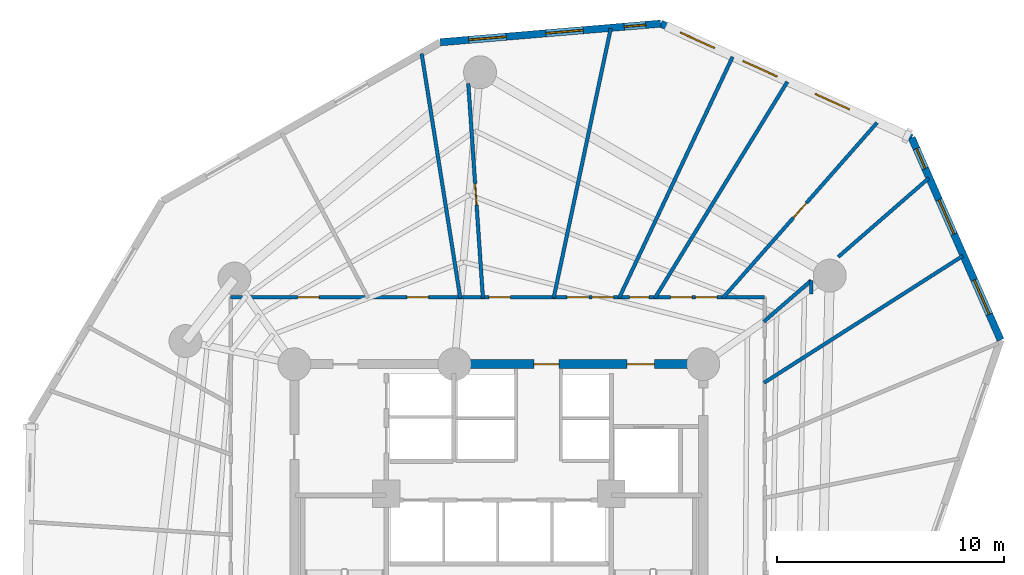
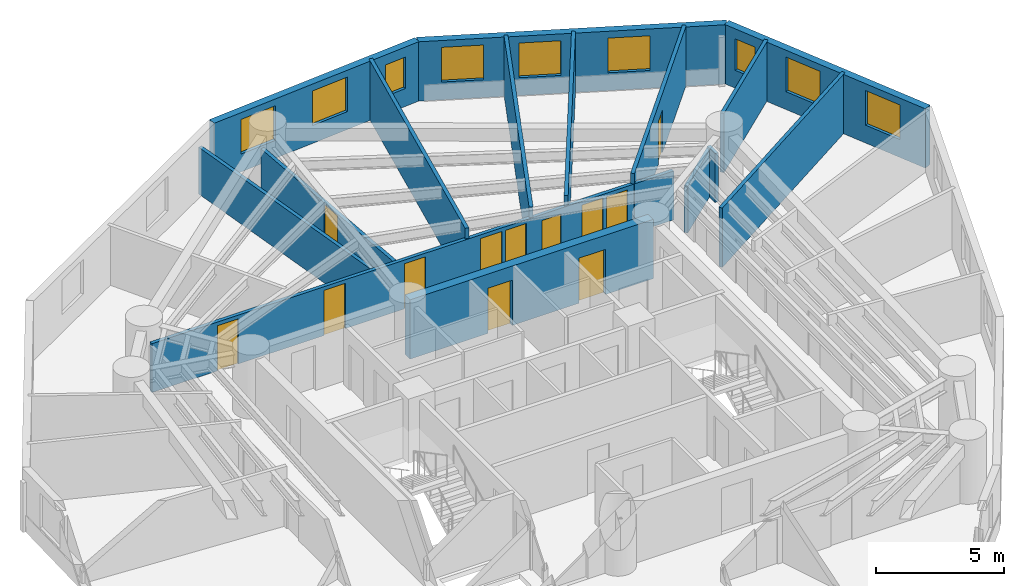
# One storey, part 6 of 10: 15 walls, 12 doors, 9 windows, 21 openings.
"""IFC4 building model written with IfcOpenShell, lengths in metres."""

from ifc_helpers import new_model, si_unit, direction, frame, frame_2d, origin, origin_with_axes, place, context, subcontext, project, spatial, rectangle, extrude, source, transform, mapped, material, layer, layer_set, type_object, element, fill, save


model = new_model("IFC4")

# Units and contexts
model_context = context("Model", 3, precision=1e-05, world=origin(), true_north=direction((0.0, 1.0)))
body_context = subcontext(model_context, "Body", "Model", "MODEL_VIEW")
ifc_project = project(units=[si_unit("LENGTHUNIT", "METRE"), si_unit("AREAUNIT", "SQUARE_METRE"), si_unit("VOLUMEUNIT", "CUBIC_METRE"), si_unit("PLANEANGLEUNIT", "RADIAN"), si_unit("MASSUNIT", "GRAM", prefix="KILO")], contexts=[model_context])

# Site, building, storey
site_placement = place(None, origin())
site = spatial("IfcSite", under=ifc_project, at=site_placement, CompositionType="ELEMENT")
building_placement = place(site_placement, origin())
building = spatial("IfcBuilding", under=site, at=building_placement, Name="Karkom Vertical University and Central Library", CompositionType="ELEMENT")
storey_placement = place(building_placement, frame((0.0, 0.0, 111.449951171875)))
storey = spatial("IfcBuildingStorey", under=building, at=storey_placement, Name="L30", CompositionType="ELEMENT", Elevation=111.449951171875)

# Wall, openings, windows
ifc_material_1 = material(Name="Brick-faced precast concrete C45/55", Category="masonry")
ifc_layer_1 = layer(ifc_material_1, 0.320068359375)
ifc_layer_set_1 = layer_set([ifc_layer_1], Name="Brick-faced precast concrete C45/55")
wall_type_1 = type_object("IfcWallType", Name="ENV-WL-BRK-320", PredefinedType="SOLIDWALL", material=ifc_layer_set_1)
wall_1_placement = place(storey_placement, frame((50.588134765625, 35.76904296875, 0.0), z_axis=(0.0, 0.0, 1.0), x_axis=(-0.402455807278, 0.915439415357, 0.0)))
wall_1 = element("IfcWall", 1, at=wall_1_placement, inside=storey, type_object=wall_type_1, Name="Level 30 Brick-Faced Precast Facade Wall 08", PredefinedType="SOLIDWALL", context=body_context, shape_type="SweptSolid", body=[
    extrude(rectangle(XDim=9.72119140625, YDim=0.320068359375, at=frame_2d((4.860595703125, 0.0))), origin(), (0.0, 0.0, 1.0), 2.824951171875),
])
opening_1_placement = place(wall_1_placement, frame((1.230224609375, 0.0, 0.85009765625)))
opening_1 = element("IfcOpeningElement", 2, at=opening_1_placement, cuts=wall_1, Name="Opening WN-06", PredefinedType="OPENING", context=body_context, shape_type="SweptSolid", body=[
    extrude(rectangle(XDim=1.64990234375, YDim=1.64990234375, at=frame_2d((0.824951171875, 0.824951171875))), frame((0.0, 0.169921875, 0.0), z_axis=(0.0, -1.0, 0.0), x_axis=(1.0, 0.0, 0.0)), (0.0, 0.0, 1.0), 0.340087890625),
])
opening_2_placement = place(wall_1_placement, frame((5.090087890625, 0.0, 0.85009765625)))
opening_2 = element("IfcOpeningElement", 3, at=opening_2_placement, cuts=wall_1, Name="Opening WN-06", PredefinedType="OPENING", context=body_context, shape_type="SweptSolid", body=[
    extrude(rectangle(XDim=1.64990234375, YDim=1.64990234375, at=frame_2d((0.824951171875, 0.824951171875))), frame((0.0, 0.169921875, 0.0), z_axis=(0.0, -1.0, 0.0), x_axis=(1.0, 0.0, 0.0)), (0.0, 0.0, 1.0), 0.340087890625),
])
opening_3_placement = place(wall_1_placement, frame((8.24560546875, 0.0, 0.85009765625)))
opening_3 = element("IfcOpeningElement", 4, at=opening_3_placement, cuts=wall_1, Name="Opening WN-12", PredefinedType="OPENING", context=body_context, shape_type="SweptSolid", body=[
    extrude(rectangle(XDim=0.949951171875, YDim=1.5, at=frame_2d((0.47509765625, 0.75))), frame((0.0, 0.169921875, 0.0), z_axis=(0.0, -1.0, 0.0), x_axis=(1.0, 0.0, 0.0)), (0.0, 0.0, 1.0), 0.340087890625),
])
ifc_material_2 = material(Name="Aluminium thermal-break frame with solar-control IGU", Category="aluminium")
window_type_1 = type_object("IfcWindowType", Name="ENV-WIN-WN-06", PartitioningType="SINGLE_PANEL", PredefinedType="WINDOW", material=ifc_material_2)
shared_shape_1 = source(origin_with_axes(), body_context, "Body", "SweptSolid", [
    extrude(rectangle(XDim=1.64990234375, YDim=1.64990234375, at=frame_2d((0.824951171875, 0.824951171875))), frame((0.0, 0.030029296875, 0.0), z_axis=(0.0, -1.0, 0.0), x_axis=(1.0, 0.0, 0.0)), (0.0, 0.0, 1.0), 0.06005859375),
])
window_1_placement = place(opening_1_placement, origin())
window_1 = element("IfcWindow", 5, at=window_1_placement, inside=storey, type_object=window_type_1, Name="Level 30 Punched Window 8.1", OverallHeight=1.64990234375, OverallWidth=1.64990234375, PartitioningType="SINGLE_PANEL", PredefinedType="WINDOW", context=body_context, shape_type="MappedRepresentation", body=[
    mapped(shared_shape_1, transform((0.0, 0.0, 0.0), scale=1.0)),
])
fill(opening_1, window_1)
window_2_placement = place(opening_2_placement, origin())
window_2 = element("IfcWindow", 6, at=window_2_placement, inside=storey, type_object=window_type_1, Name="Level 30 Punched Window 8.2", OverallHeight=1.64990234375, OverallWidth=1.64990234375, PartitioningType="SINGLE_PANEL", PredefinedType="WINDOW", context=body_context, shape_type="MappedRepresentation", body=[
    mapped(shared_shape_1, transform((0.0, 0.0, 0.0), scale=1.0)),
])
fill(opening_2, window_2)
window_type_2 = type_object("IfcWindowType", Name="ENV-WIN-WN-12", PartitioningType="SINGLE_PANEL", PredefinedType="WINDOW", material=ifc_material_2)
shared_shape_2 = source(origin_with_axes(), body_context, "Body", "SweptSolid", [
    extrude(rectangle(XDim=0.949951171875, YDim=1.5, at=frame_2d((0.47509765625, 0.75))), frame((0.0, 0.030029296875, 0.0), z_axis=(0.0, -1.0, 0.0), x_axis=(1.0, 0.0, 0.0)), (0.0, 0.0, 1.0), 0.06005859375),
])
window_3_placement = place(opening_3_placement, origin())
window_3 = element("IfcWindow", 7, at=window_3_placement, inside=storey, type_object=window_type_2, Name="Level 30 Punched Window 8.3", OverallHeight=1.5, OverallWidth=0.949951171875, PartitioningType="SINGLE_PANEL", PredefinedType="WINDOW", context=body_context, shape_type="MappedRepresentation", body=[
    mapped(shared_shape_2, transform((0.0, 0.0, 0.0), scale=1.0)),
])
fill(opening_3, window_3)

wall_2_placement = place(storey_placement, frame((46.67578125, 44.668212890625, 0.0), z_axis=(0.0, 0.0, 1.0), x_axis=(-0.910221705095, 0.414121295726, 0.0)))
wall_2 = element("IfcWall", 8, at=wall_2_placement, inside=storey, type_object=wall_type_1, Name="Level 30 Brick-Faced Precast Facade Wall 09", PredefinedType="SOLIDWALL", context=body_context, shape_type="SweptSolid", body=[
    extrude(rectangle(XDim=12.1328125, YDim=0.320068359375, at=frame_2d((6.06640625, 0.0))), origin(), (0.0, 0.0, 1.0), 2.824951171875),
])
opening_4_placement = place(wall_2_placement, frame((3.014892578125, 0.0, 0.85009765625)))
opening_4 = element("IfcOpeningElement", 9, at=opening_4_placement, cuts=wall_2, Name="Opening WN-06", PredefinedType="OPENING", context=body_context, shape_type="SweptSolid", body=[
    extrude(rectangle(XDim=1.64990234375, YDim=1.64990234375, at=frame_2d((0.824951171875, 0.824951171875))), frame((0.0, 0.169921875, 0.0), z_axis=(0.0, -1.0, 0.0), x_axis=(1.0, 0.0, 0.0)), (0.0, 0.0, 1.0), 0.340087890625),
])
opening_5_placement = place(wall_2_placement, frame((6.504638671875, 0.0, 0.85009765625)))
opening_5 = element("IfcOpeningElement", 10, at=opening_5_placement, cuts=wall_2, Name="Opening WN-06", PredefinedType="OPENING", context=body_context, shape_type="SweptSolid", body=[
    extrude(rectangle(XDim=1.64990234375, YDim=1.64990234375, at=frame_2d((0.824951171875, 0.824951171875))), frame((0.0, 0.169921875, 0.0), z_axis=(0.0, -1.0, 0.0), x_axis=(1.0, 0.0, 0.0)), (0.0, 0.0, 1.0), 0.340087890625),
])
opening_6_placement = place(wall_2_placement, frame((9.537353515625, 0.0, 0.85009765625)))
opening_6 = element("IfcOpeningElement", 11, at=opening_6_placement, cuts=wall_2, Name="Opening WN-06", PredefinedType="OPENING", context=body_context, shape_type="SweptSolid", body=[
    extrude(rectangle(XDim=1.64990234375, YDim=1.64990234375, at=frame_2d((0.824951171875, 0.824951171875))), frame((0.0, 0.169921875, 0.0), z_axis=(0.0, -1.0, 0.0), x_axis=(1.0, 0.0, 0.0)), (0.0, 0.0, 1.0), 0.340087890625),
])
window_4_placement = place(opening_4_placement, origin())
window_4 = element("IfcWindow", 12, at=window_4_placement, inside=storey, type_object=window_type_1, Name="Level 30 Punched Window 9.1", OverallHeight=1.64990234375, OverallWidth=1.64990234375, PartitioningType="SINGLE_PANEL", PredefinedType="WINDOW", context=body_context, shape_type="MappedRepresentation", body=[
    mapped(shared_shape_1, transform((0.0, 0.0, 0.0), scale=1.0)),
])
fill(opening_4, window_4)
window_5_placement = place(opening_5_placement, origin())
window_5 = element("IfcWindow", 13, at=window_5_placement, inside=storey, type_object=window_type_1, Name="Level 30 Punched Window 9.2", OverallHeight=1.64990234375, OverallWidth=1.64990234375, PartitioningType="SINGLE_PANEL", PredefinedType="WINDOW", context=body_context, shape_type="MappedRepresentation", body=[
    mapped(shared_shape_1, transform((0.0, 0.0, 0.0), scale=1.0)),
])
fill(opening_5, window_5)
window_6_placement = place(opening_6_placement, origin())
window_6 = element("IfcWindow", 14, at=window_6_placement, inside=storey, type_object=window_type_1, Name="Level 30 Punched Window 9.3", OverallHeight=1.64990234375, OverallWidth=1.64990234375, PartitioningType="SINGLE_PANEL", PredefinedType="WINDOW", context=body_context, shape_type="MappedRepresentation", body=[
    mapped(shared_shape_1, transform((0.0, 0.0, 0.0), scale=1.0)),
])
fill(opening_6, window_6)

wall_3_placement = place(storey_placement, frame((35.63232421875, 49.692626953125, 0.0), z_axis=(0.0, 0.0, 1.0), x_axis=(-0.996452673848, -0.084155028263, 0.0)))
wall_3 = element("IfcWall", 15, at=wall_3_placement, inside=storey, type_object=wall_type_1, Name="Level 30 Brick-Faced Precast Facade Wall 10", PredefinedType="SOLIDWALL", context=body_context, shape_type="SweptSolid", body=[
    extrude(rectangle(XDim=9.741943359375, YDim=0.320068359375, at=frame_2d((4.87109375, 0.0))), origin(), (0.0, 0.0, 1.0), 2.824951171875),
])
opening_7_placement = place(wall_3_placement, frame((0.6669921875, 0.0, 0.85009765625)))
opening_7 = element("IfcOpeningElement", 16, at=opening_7_placement, cuts=wall_3, Name="Opening WN-12", PredefinedType="OPENING", context=body_context, shape_type="SweptSolid", body=[
    extrude(rectangle(XDim=0.949951171875, YDim=1.5, at=frame_2d((0.47509765625, 0.75))), frame((0.0, 0.169921875, 0.0), z_axis=(0.0, -1.0, 0.0), x_axis=(1.0, 0.0, 0.0)), (0.0, 0.0, 1.0), 0.340087890625),
])
opening_8_placement = place(wall_3_placement, frame((3.42333984375, 0.0, 0.85009765625)))
opening_8 = element("IfcOpeningElement", 17, at=opening_8_placement, cuts=wall_3, Name="Opening WN-06", PredefinedType="OPENING", context=body_context, shape_type="SweptSolid", body=[
    extrude(rectangle(XDim=1.64990234375, YDim=1.64990234375, at=frame_2d((0.824951171875, 0.824951171875))), frame((0.0, 0.169921875, 0.0), z_axis=(0.0, -1.0, 0.0), x_axis=(1.0, 0.0, 0.0)), (0.0, 0.0, 1.0), 0.340087890625),
])
opening_9_placement = place(wall_3_placement, frame((6.83251953125, 0.0, 0.85009765625)))
opening_9 = element("IfcOpeningElement", 18, at=opening_9_placement, cuts=wall_3, Name="Opening WN-06", PredefinedType="OPENING", context=body_context, shape_type="SweptSolid", body=[
    extrude(rectangle(XDim=1.64990234375, YDim=1.64990234375, at=frame_2d((0.824951171875, 0.824951171875))), frame((0.0, 0.169921875, 0.0), z_axis=(0.0, -1.0, 0.0), x_axis=(1.0, 0.0, 0.0)), (0.0, 0.0, 1.0), 0.340087890625),
])
window_7_placement = place(opening_8_placement, origin())
window_7 = element("IfcWindow", 19, at=window_7_placement, inside=storey, type_object=window_type_1, Name="Level 30 Punched Window 10.2", OverallHeight=1.64990234375, OverallWidth=1.64990234375, PartitioningType="SINGLE_PANEL", PredefinedType="WINDOW", context=body_context, shape_type="MappedRepresentation", body=[
    mapped(shared_shape_1, transform((0.0, 0.0, 0.0), scale=1.0)),
])
fill(opening_8, window_7)
window_8_placement = place(opening_9_placement, origin())
window_8 = element("IfcWindow", 20, at=window_8_placement, inside=storey, type_object=window_type_1, Name="Level 30 Punched Window 10.3", OverallHeight=1.64990234375, OverallWidth=1.64990234375, PartitioningType="SINGLE_PANEL", PredefinedType="WINDOW", context=body_context, shape_type="MappedRepresentation", body=[
    mapped(shared_shape_1, transform((0.0, 0.0, 0.0), scale=1.0)),
])
fill(opening_9, window_8)
window_9_placement = place(opening_7_placement, origin())
window_9 = element("IfcWindow", 21, at=window_9_placement, inside=storey, type_object=window_type_2, Name="Level 30 Punched Window 10.1", OverallHeight=1.5, OverallWidth=0.949951171875, PartitioningType="SINGLE_PANEL", PredefinedType="WINDOW", context=body_context, shape_type="MappedRepresentation", body=[
    mapped(shared_shape_2, transform((0.0, 0.0, 0.0), scale=1.0)),
])
fill(opening_7, window_9)

# Wall, openings, doors
ifc_material_3 = material(Name="Insulated metal-stud drywall 160mm", Category="gypsum")
ifc_layer_2 = layer(ifc_material_3, 0.159912109375)
ifc_layer_set_2 = layer_set([ifc_layer_2], Name="Insulated metal-stud drywall 160mm")
wall_type_2 = type_object("IfcWallType", Name="INT-WL-COR-160", PredefinedType="PARTITIONING", material=ifc_layer_set_2)
wall_4_placement = place(storey_placement, frame((16.699951171875, 37.64990234375, 0.0), z_axis=(0.0, 0.0, 1.0), x_axis=(1.0, 0.0, 0.0)))
wall_4 = element("IfcWall", 22, at=wall_4_placement, inside=storey, type_object=wall_type_2, Name="Level 30 Interior Partition Wall L30-CORW-CW-003", PredefinedType="PARTITIONING", context=body_context, shape_type="SweptSolid", body=[
    extrude(rectangle(XDim=23.5, YDim=0.159912109375, at=frame_2d((11.75, 0.0))), origin(), (0.0, 0.0, 1.0), 2.324951171875),
])
opening_10_placement = place(wall_4_placement, frame((20.456298828125, 0.0, 0.0)))
opening_10 = element("IfcOpeningElement", 23, at=opening_10_placement, cuts=wall_4, Name="Opening FD-RM2", PredefinedType="OPENING", context=body_context, shape_type="SweptSolid", body=[
    extrude(rectangle(XDim=0.9599609375, YDim=2.14990234375, at=frame_2d((0.47998046875, 1.074951171875))), frame((0.0, 0.08984375, 0.0), z_axis=(0.0, -1.0, 0.0), x_axis=(1.0, 0.0, 0.0)), (0.0, 0.0, 1.0), 0.179931640625),
])
opening_11_placement = place(wall_4_placement, frame((19.359130859375, 0.0, 0.0)))
opening_11 = element("IfcOpeningElement", 24, at=opening_11_placement, cuts=wall_4, Name="Opening D-RM1", PredefinedType="OPENING", context=body_context, shape_type="SweptSolid", body=[
    extrude(rectangle(XDim=0.949951171875, YDim=2.14990234375, at=frame_2d((0.47509765625, 1.074951171875))), frame((0.0, 0.08984375, 0.0), z_axis=(0.0, -1.0, 0.0), x_axis=(1.0, 0.0, 0.0)), (0.0, 0.0, 1.0), 0.179931640625),
])
opening_12_placement = place(wall_4_placement, frame((15.909912109375, 0.0, 0.0)))
opening_12 = element("IfcOpeningElement", 25, at=opening_12_placement, cuts=wall_4, Name="Opening D-RM1", PredefinedType="OPENING", context=body_context, shape_type="SweptSolid", body=[
    extrude(rectangle(XDim=0.949951171875, YDim=2.14990234375, at=frame_2d((0.47509765625, 1.074951171875))), frame((0.0, 0.08984375, 0.0), z_axis=(0.0, -1.0, 0.0), x_axis=(1.0, 0.0, 0.0)), (0.0, 0.0, 1.0), 0.179931640625),
])
opening_13_placement = place(wall_4_placement, frame((14.800048828125, 0.0, 0.0)))
opening_13 = element("IfcOpeningElement", 26, at=opening_13_placement, cuts=wall_4, Name="Opening FD-RM2", PredefinedType="OPENING", context=body_context, shape_type="SweptSolid", body=[
    extrude(rectangle(XDim=0.9599609375, YDim=2.14990234375, at=frame_2d((0.47998046875, 1.074951171875))), frame((0.0, 0.08984375, 0.0), z_axis=(0.0, -1.0, 0.0), x_axis=(1.0, 0.0, 0.0)), (0.0, 0.0, 1.0), 0.179931640625),
])
opening_14_placement = place(wall_4_placement, frame((11.364990234375, 0.0, 0.0)))
opening_14 = element("IfcOpeningElement", 27, at=opening_14_placement, cuts=wall_4, Name="Opening D-RM1", PredefinedType="OPENING", context=body_context, shape_type="SweptSolid", body=[
    extrude(rectangle(XDim=0.949951171875, YDim=2.14990234375, at=frame_2d((0.47509765625, 1.074951171875))), frame((0.0, 0.08984375, 0.0), z_axis=(0.0, -1.0, 0.0), x_axis=(1.0, 0.0, 0.0)), (0.0, 0.0, 1.0), 0.179931640625),
])
opening_15_placement = place(wall_4_placement, frame((7.75, 0.0, 0.0)))
opening_15 = element("IfcOpeningElement", 28, at=opening_15_placement, cuts=wall_4, Name="Opening FD-RM2", PredefinedType="OPENING", context=body_context, shape_type="SweptSolid", body=[
    extrude(rectangle(XDim=0.9599609375, YDim=2.14990234375, at=frame_2d((0.47998046875, 1.074951171875))), frame((0.0, 0.08984375, 0.0), z_axis=(0.0, -1.0, 0.0), x_axis=(1.0, 0.0, 0.0)), (0.0, 0.0, 1.0), 0.179931640625),
])
opening_16_placement = place(wall_4_placement, frame((2.9404296875, 0.0, 0.0)))
opening_16 = element("IfcOpeningElement", 29, at=opening_16_placement, cuts=wall_4, Name="Opening D-RM1", PredefinedType="OPENING", context=body_context, shape_type="SweptSolid", body=[
    extrude(rectangle(XDim=0.949951171875, YDim=2.14990234375, at=frame_2d((0.47509765625, 1.074951171875))), frame((0.0, 0.08984375, 0.0), z_axis=(0.0, -1.0, 0.0), x_axis=(1.0, 0.0, 0.0)), (0.0, 0.0, 1.0), 0.179931640625),
])
opening_17_placement = place(wall_4_placement, frame((17.560791015625, 0.0, 0.0)))
opening_17 = element("IfcOpeningElement", 30, at=opening_17_placement, cuts=wall_4, Name="Opening FD-BTH2", PredefinedType="OPENING", context=body_context, shape_type="SweptSolid", body=[
    extrude(rectangle(XDim=0.860107421875, YDim=2.0400390625, at=frame_2d((0.43017578125, 1.02001953125))), frame((0.0, 0.08984375, 0.0), z_axis=(0.0, -1.0, 0.0), x_axis=(1.0, 0.0, 0.0)), (0.0, 0.0, 1.0), 0.179931640625),
])
ifc_material_4 = material(Name="Fire-rated oak veneer door", Category="wood")
door_type_1 = type_object("IfcDoorType", Name="INT-DR-FRM2", OperationType="NOTDEFINED", PredefinedType="DOOR", material=ifc_material_4)
shared_shape_3 = source(origin_with_axes(), body_context, "Body", "SweptSolid", [
    extrude(rectangle(XDim=0.9599609375, YDim=2.14990234375, at=frame_2d((0.47998046875, 1.074951171875))), frame((0.0, 0.02490234375, 0.0), z_axis=(0.0, -1.0, 0.0), x_axis=(1.0, 0.0, 0.0)), (0.0, 0.0, 1.0), 0.050048828125),
])
door_1_placement = place(opening_10_placement, origin())
door_1 = element("IfcDoor", 31, at=door_1_placement, inside=storey, type_object=door_type_1, Name="Level 30 Room Entry Door 150", OperationType="SINGLE_SWING_RIGHT", OverallHeight=2.14990234375, OverallWidth=0.9599609375, PredefinedType="DOOR", context=body_context, shape_type="MappedRepresentation", body=[
    mapped(shared_shape_3, transform((0.0, 0.0, 0.0), scale=1.0)),
])
fill(opening_10, door_1)
door_2_placement = place(opening_13_placement, origin())
door_2 = element("IfcDoor", 32, at=door_2_placement, inside=storey, type_object=door_type_1, Name="Level 30 Room Entry Door 180", OperationType="SINGLE_SWING_LEFT", OverallHeight=2.14990234375, OverallWidth=0.9599609375, PredefinedType="DOOR", context=body_context, shape_type="MappedRepresentation", body=[
    mapped(shared_shape_3, transform((0.0, 0.0, 0.0), scale=1.0)),
])
fill(opening_13, door_2)
door_3_placement = place(opening_15_placement, origin())
door_3 = element("IfcDoor", 33, at=door_3_placement, inside=storey, type_object=door_type_1, Name="Level 30 Room Entry Door 210", OperationType="SINGLE_SWING_LEFT", OverallHeight=2.14990234375, OverallWidth=0.9599609375, PredefinedType="DOOR", context=body_context, shape_type="MappedRepresentation", body=[
    mapped(shared_shape_3, transform((0.0, 0.0, 0.0), scale=1.0)),
])
fill(opening_15, door_3)
ifc_material_5 = material(Name="Fire-rated moisture-resistant oak door", Category="wood")
door_type_2 = type_object("IfcDoorType", Name="INT-DR-FBTH2", OperationType="NOTDEFINED", PredefinedType="DOOR", material=ifc_material_5)
shared_shape_4 = source(origin_with_axes(), body_context, "Body", "SweptSolid", [
    extrude(rectangle(XDim=0.860107421875, YDim=2.0400390625, at=frame_2d((0.43017578125, 1.02001953125))), frame((0.0, 0.02490234375, 0.0), z_axis=(0.0, -1.0, 0.0), x_axis=(1.0, 0.0, 0.0)), (0.0, 0.0, 1.0), 0.050048828125),
])
door_4_placement = place(opening_17_placement, origin())
door_4 = element("IfcDoor", 34, at=door_4_placement, inside=storey, type_object=door_type_2, Name="Level 30 Campus Student Health Counseling Clinic Entry Door", OperationType="SINGLE_SWING_RIGHT", OverallHeight=2.0400390625, OverallWidth=0.860107421875, PredefinedType="DOOR", context=body_context, shape_type="MappedRepresentation", body=[
    mapped(shared_shape_4, transform((0.0, 0.0, 0.0), scale=1.0)),
])
fill(opening_17, door_4)
ifc_material_6 = material(Name="Solid-core oak veneer door", Category="wood")
door_type_3 = type_object("IfcDoorType", Name="INT-DR-RM1", OperationType="NOTDEFINED", PredefinedType="DOOR", material=ifc_material_6)
shared_shape_5 = source(origin_with_axes(), body_context, "Body", "SweptSolid", [
    extrude(rectangle(XDim=0.949951171875, YDim=2.14990234375, at=frame_2d((0.47509765625, 1.074951171875))), frame((0.0, 0.02490234375, 0.0), z_axis=(0.0, -1.0, 0.0), x_axis=(1.0, 0.0, 0.0)), (0.0, 0.0, 1.0), 0.050048828125),
])
door_5_placement = place(opening_11_placement, origin())
door_5 = element("IfcDoor", 35, at=door_5_placement, inside=storey, type_object=door_type_3, Name="Level 30 Room Entry Door 160", OperationType="SINGLE_SWING_LEFT", OverallHeight=2.14990234375, OverallWidth=0.949951171875, PredefinedType="DOOR", context=body_context, shape_type="MappedRepresentation", body=[
    mapped(shared_shape_5, transform((0.0, 0.0, 0.0), scale=1.0)),
])
fill(opening_11, door_5)
door_6_placement = place(opening_12_placement, origin())
door_6 = element("IfcDoor", 36, at=door_6_placement, inside=storey, type_object=door_type_3, Name="Level 30 Room Entry Door 170", OperationType="SINGLE_SWING_RIGHT", OverallHeight=2.14990234375, OverallWidth=0.949951171875, PredefinedType="DOOR", context=body_context, shape_type="MappedRepresentation", body=[
    mapped(shared_shape_5, transform((0.0, 0.0, 0.0), scale=1.0)),
])
fill(opening_12, door_6)
door_7_placement = place(opening_14_placement, origin())
door_7 = element("IfcDoor", 37, at=door_7_placement, inside=storey, type_object=door_type_3, Name="Level 30 Room Entry Door 190", OperationType="SINGLE_SWING_RIGHT", OverallHeight=2.14990234375, OverallWidth=0.949951171875, PredefinedType="DOOR", context=body_context, shape_type="MappedRepresentation", body=[
    mapped(shared_shape_5, transform((0.0, 0.0, 0.0), scale=1.0)),
])
fill(opening_14, door_7)
door_8_placement = place(opening_16_placement, origin())
door_8 = element("IfcDoor", 38, at=door_8_placement, inside=storey, type_object=door_type_3, Name="Level 30 Room Entry Door 220", OperationType="SINGLE_SWING_RIGHT", OverallHeight=2.14990234375, OverallWidth=0.949951171875, PredefinedType="DOOR", context=body_context, shape_type="MappedRepresentation", body=[
    mapped(shared_shape_5, transform((0.0, 0.0, 0.0), scale=1.0)),
])
fill(opening_16, door_8)

# Walls
wall_5_placement = place(storey_placement, frame((30.9169921875, 37.62060546875, 0.0), z_axis=(0.0, 0.0, 1.0), x_axis=(0.207235529674, 0.978291078995, 0.0)))
element("IfcWall", 39, at=wall_5_placement, inside=storey, type_object=wall_type_2, Name="Level 30 Interior Partition Wall L30-PW-025", PredefinedType="PARTITIONING", context=body_context, shape_type="SweptSolid", body=[
    extrude(rectangle(XDim=12.121337890625, YDim=0.159912109375, at=frame_2d((6.060546875, 0.0))), origin(), (0.0, 0.0, 1.0), 2.824951171875),
])
wall_6_placement = place(storey_placement, frame((33.794189453125, 37.609375, 0.0), z_axis=(0.0, 0.0, 1.0), x_axis=(0.425784012036, 0.904824831166, 0.0)))
element("IfcWall", 40, at=wall_6_placement, inside=storey, type_object=wall_type_2, Name="Level 30 Interior Partition Wall L30-PW-024", PredefinedType="PARTITIONING", context=body_context, shape_type="SweptSolid", body=[
    extrude(rectangle(XDim=11.735595703125, YDim=0.159912109375, at=frame_2d((5.86767578125, 0.0))), origin(), (0.0, 0.0, 1.0), 2.824951171875),
])
wall_7_placement = place(storey_placement, frame((35.373046875, 37.611572265625, 0.0), z_axis=(0.0, 0.0, 1.0), x_axis=(0.522127560248, 0.852867405186, 0.0)))
element("IfcWall", 41, at=wall_7_placement, inside=storey, type_object=wall_type_2, Name="Level 30 Interior Partition Wall L30-PW-023", PredefinedType="PARTITIONING", context=body_context, shape_type="SweptSolid", body=[
    extrude(rectangle(XDim=11.161865234375, YDim=0.159912109375, at=frame_2d((5.5810546875, 0.0))), origin(), (0.0, 0.0, 1.0), 2.824951171875),
])
wall_8_placement = place(storey_placement, frame((26.805908203125, 37.605712890625, 0.0), z_axis=(0.0, 0.0, 1.0), x_axis=(-0.156063798383, 0.987746977132, 0.0)))
element("IfcWall", 42, at=wall_8_placement, inside=storey, type_object=wall_type_2, Name="Level 30 Interior Partition Wall L30-PW-027", PredefinedType="PARTITIONING", context=body_context, shape_type="SweptSolid", body=[
    extrude(rectangle(XDim=10.89892578125, YDim=0.159912109375, at=frame_2d((5.449462890625, 0.0))), origin(), (0.0, 0.0, 1.0), 2.22509765625),
])
wall_9_placement = place(storey_placement, frame((40.1748046875, 33.881103515625, 0.0), z_axis=(0.0, 0.0, 1.0), x_axis=(0.842904976607, 0.53806245029, 0.0)))
element("IfcWall", 43, at=wall_9_placement, inside=storey, type_object=wall_type_2, Name="Level 30 Interior Partition Wall L30-PW-018", PredefinedType="PARTITIONING", context=body_context, shape_type="SweptSolid", body=[
    extrude(rectangle(XDim=10.3896484375, YDim=0.159912109375, at=frame_2d((5.19482421875, 0.0))), origin(), (0.0, 0.0, 1.0), 2.824951171875),
])

# Wall, opening, door
wall_10_placement = place(storey_placement, frame((38.362548828125, 37.6162109375, 0.0), z_axis=(0.0, 0.0, 1.0), x_axis=(0.660641283191, 0.750701735008, 0.0)))
wall_10 = element("IfcWall", 44, at=wall_10_placement, inside=storey, type_object=wall_type_2, Name="Level 30 Interior Partition Wall L30-PW-022", PredefinedType="PARTITIONING", context=body_context, shape_type="SweptSolid", body=[
    extrude(rectangle(XDim=10.27685546875, YDim=0.159912109375, at=frame_2d((5.138427734375, 0.0))), origin(), (0.0, 0.0, 1.0), 2.824951171875),
])
opening_18_placement = place(wall_10_placement, frame((4.70849609375, 0.0, 0.0)))
opening_18 = element("IfcOpeningElement", 45, at=opening_18_placement, cuts=wall_10, Name="Opening FD-BTH2", PredefinedType="OPENING", context=body_context, shape_type="SweptSolid", body=[
    extrude(rectangle(XDim=0.860107421875, YDim=2.0400390625, at=frame_2d((0.43017578125, 1.02001953125))), frame((0.0, 0.08984375, 0.0), z_axis=(0.0, -1.0, 0.0), x_axis=(1.0, 0.0, 0.0)), (0.0, 0.0, 1.0), 0.179931640625),
])
door_9_placement = place(opening_18_placement, origin())
door_9 = element("IfcDoor", 46, at=door_9_placement, inside=storey, type_object=door_type_2, Name="Level 30 University Seminar Classroom Entry Door", OperationType="SINGLE_SWING_LEFT", OverallHeight=2.0400390625, OverallWidth=0.860107421875, PredefinedType="DOOR", context=body_context, shape_type="MappedRepresentation", body=[
    mapped(shared_shape_4, transform((0.0, 0.0, 0.0), scale=1.0)),
])
fill(opening_18, door_9)

wall_11_placement = place(storey_placement, frame((27.801513671875, 37.6201171875, 0.0), z_axis=(0.0, 0.0, 1.0), x_axis=(-0.068058322418, 0.997681344293, 0.0)))
wall_11 = element("IfcWall", 47, at=wall_11_placement, inside=storey, type_object=wall_type_2, Name="Level 30 Interior Partition Wall L30-PW-026", PredefinedType="PARTITIONING", context=body_context, shape_type="SweptSolid", body=[
    extrude(rectangle(XDim=9.463134765625, YDim=0.159912109375, at=frame_2d((4.7314453125, 0.0))), origin(), (0.0, 0.0, 1.0), 2.22509765625),
])
opening_19_placement = place(wall_11_placement, frame((4.091064453125, 0.0, 0.0)))
opening_19 = element("IfcOpeningElement", 48, at=opening_19_placement, cuts=wall_11, Name="Opening D-RM1", PredefinedType="OPENING", context=body_context, shape_type="SweptSolid", body=[
    extrude(rectangle(XDim=0.949951171875, YDim=2.14990234375, at=frame_2d((0.47509765625, 1.074951171875))), frame((0.0, 0.08984375, 0.0), z_axis=(0.0, -1.0, 0.0), x_axis=(1.0, 0.0, 0.0)), (0.0, 0.0, 1.0), 0.179931640625),
])
door_10_placement = place(opening_19_placement, origin())
door_10 = element("IfcDoor", 49, at=door_10_placement, inside=storey, type_object=door_type_3, Name="Level 30 Room Entry Door 200", OperationType="SINGLE_SWING_LEFT", OverallHeight=2.14990234375, OverallWidth=0.949951171875, PredefinedType="DOOR", context=body_context, shape_type="MappedRepresentation", body=[
    mapped(shared_shape_5, transform((0.0, 0.0, 0.0), scale=1.0)),
])
fill(opening_19, door_10)

# Walls
wall_12_placement = place(storey_placement, frame((43.440185546875, 39.419921875, 0.0), z_axis=(0.0, 0.0, 1.0), x_axis=(0.754393669879, 0.656422265654, 0.0)))
element("IfcWall", 50, at=wall_12_placement, inside=storey, type_object=wall_type_2, Name="Level 30 Interior Partition Wall L30-PW-021", PredefinedType="PARTITIONING", context=body_context, shape_type="SweptSolid", body=[
    extrude(rectangle(XDim=5.285400390625, YDim=0.159912109375, at=frame_2d((2.642578125, 0.0))), origin(), (0.0, 0.0, 1.0), 2.824951171875),
])
wall_13_placement = place(storey_placement, frame((40.166015625, 36.5712890625, 0.0), z_axis=(0.0, 0.0, 1.0), x_axis=(0.754413317587, 0.656399684831, 0.0)))
element("IfcWall", 51, at=wall_13_placement, inside=storey, type_object=wall_type_2, Name="Level 30 Interior Partition Wall L30-PW-019", PredefinedType="PARTITIONING", context=body_context, shape_type="SweptSolid", body=[
    extrude(rectangle(XDim=2.762451171875, YDim=0.159912109375, at=frame_2d((1.38134765625, 0.0))), origin(), (0.0, 0.0, 1.0), 2.22509765625),
])
wall_14_placement = place(storey_placement, frame((42.25, 38.384521484375, 0.0), z_axis=(0.0, 0.0, 1.0), x_axis=(0.0, -1.0, 0.0)))
element("IfcWall", 52, at=wall_14_placement, inside=storey, type_object=wall_type_2, Name="Level 30 Interior Partition Wall L30-PW-020", PredefinedType="PARTITIONING", context=body_context, shape_type="SweptSolid", body=[
    extrude(rectangle(XDim=0.6044921875, YDim=0.159912109375, at=frame_2d((0.30224609375, 0.0))), origin(), (0.0, 0.0, 1.0), 2.324951171875),
])

# Wall, openings, doors
ifc_material_7 = material(Name="Concrete C50/60", Category="concrete")
ifc_layer_3 = layer(ifc_material_7, 0.39990234375)
ifc_layer_set_3 = layer_set([ifc_layer_3], Name="Concrete C50/60")
wall_type_3 = type_object("IfcWallType", Name="STR-WL-CW-400", PredefinedType="SHEAR", material=ifc_layer_set_3)
wall_15_placement = place(storey_placement, frame((37.5, 34.699951171875, 0.0), z_axis=(0.0, 0.0, 1.0), x_axis=(-1.0, 0.0, 0.0)))
wall_15 = element("IfcWall", 53, at=wall_15_placement, inside=storey, type_object=wall_type_3, Name="Level 30 Central Core Shear Wall NW1", PredefinedType="SHEAR", context=body_context, shape_type="SweptSolid", body=[
    extrude(rectangle(XDim=10.949951171875, YDim=0.39990234375, at=frame_2d((5.47509765625, 0.0))), origin(), (0.0, 0.0, 1.0), 2.824951171875),
])
opening_20_placement = place(wall_15_placement, frame((2.14990234375, 0.0, 0.0)))
opening_20 = element("IfcOpeningElement", 54, at=opening_20_placement, cuts=wall_15, Name="Opening FD-SUB1", PredefinedType="OPENING", context=body_context, shape_type="SweptSolid", body=[
    extrude(rectangle(XDim=1.199951171875, YDim=2.14990234375, at=frame_2d((0.60009765625, 1.074951171875))), frame((0.0, 0.2099609375, 0.0), z_axis=(0.0, -1.0, 0.0), x_axis=(1.0, 0.0, 0.0)), (0.0, 0.0, 1.0), 0.419921875),
])
opening_21_placement = place(wall_15_placement, frame((6.35009765625, 0.0, 0.0)))
opening_21 = element("IfcOpeningElement", 55, at=opening_21_placement, cuts=wall_15, Name="Opening FD-FFL", PredefinedType="OPENING", context=body_context, shape_type="SweptSolid", body=[
    extrude(rectangle(XDim=1.10009765625, YDim=2.14990234375, at=frame_2d((0.550048828125, 1.074951171875))), frame((0.0, 0.2099609375, 0.0), z_axis=(0.0, -1.0, 0.0), x_axis=(1.0, 0.0, 0.0)), (0.0, 0.0, 1.0), 0.419921875),
])
ifc_material_8 = material(Name="Painted steel smoke-seal fire door", Category="steel")
door_type_4 = type_object("IfcDoorType", Name="INT-DR-FFL", OperationType="NOTDEFINED", PredefinedType="DOOR", material=ifc_material_8)
shared_shape_6 = source(origin_with_axes(), body_context, "Body", "SweptSolid", [
    extrude(rectangle(XDim=1.10009765625, YDim=2.14990234375, at=frame_2d((0.550048828125, 1.074951171875))), frame((0.0, 0.02490234375, 0.0), z_axis=(0.0, -1.0, 0.0), x_axis=(1.0, 0.0, 0.0)), (0.0, 0.0, 1.0), 0.050048828125),
])
door_11_placement = place(opening_21_placement, origin())
door_11 = element("IfcDoor", 56, at=door_11_placement, inside=storey, type_object=door_type_4, Name="Level 30 North Core Lobby Exit Door", OperationType="SINGLE_SWING_RIGHT", OverallHeight=2.14990234375, OverallWidth=1.10009765625, PredefinedType="DOOR", context=body_context, shape_type="MappedRepresentation", body=[
    mapped(shared_shape_6, transform((0.0, 0.0, 0.0), scale=1.0)),
])
fill(opening_21, door_11)
ifc_material_9 = material(Name="Painted steel fire door", Category="steel")
door_type_5 = type_object("IfcDoorType", Name="INT-DR-SUB1", OperationType="NOTDEFINED", PredefinedType="DOOR", material=ifc_material_9)
shared_shape_7 = source(origin_with_axes(), body_context, "Body", "SweptSolid", [
    extrude(rectangle(XDim=1.199951171875, YDim=2.14990234375, at=frame_2d((0.60009765625, 1.074951171875))), frame((0.0, 0.02490234375, 0.0), z_axis=(0.0, -1.0, 0.0), x_axis=(1.0, 0.0, 0.0)), (0.0, 0.0, 1.0), 0.050048828125),
])
door_12_placement = place(opening_20_placement, origin())
door_12 = element("IfcDoor", 57, at=door_12_placement, inside=storey, type_object=door_type_5, Name="Level 30 Service Lobby Fire Door", OperationType="SINGLE_SWING_RIGHT", OverallHeight=2.14990234375, OverallWidth=1.199951171875, PredefinedType="DOOR", context=body_context, shape_type="MappedRepresentation", body=[
    mapped(shared_shape_7, transform((0.0, 0.0, 0.0), scale=1.0)),
])
fill(opening_20, door_12)

save(model, "model.ifc")
